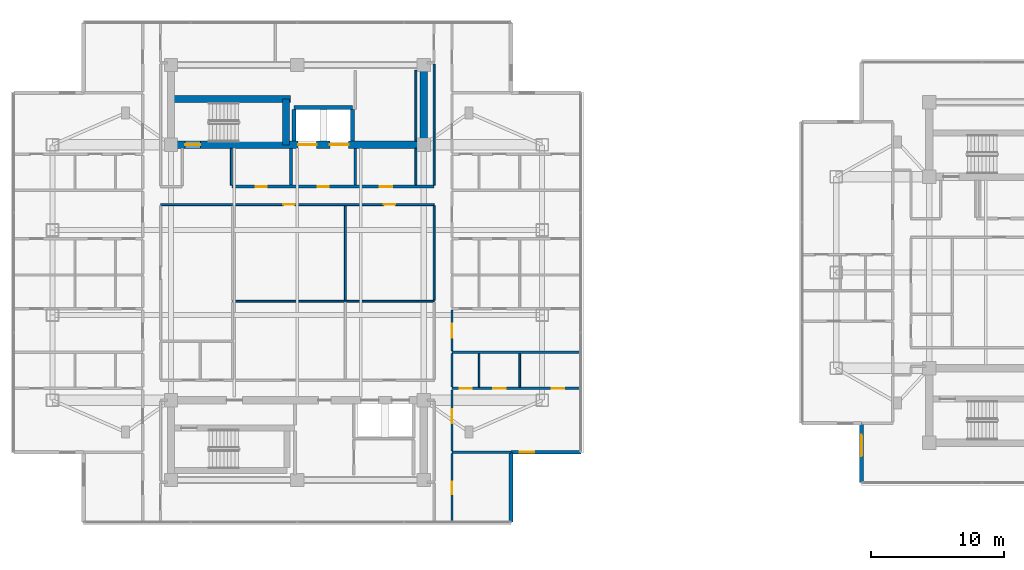
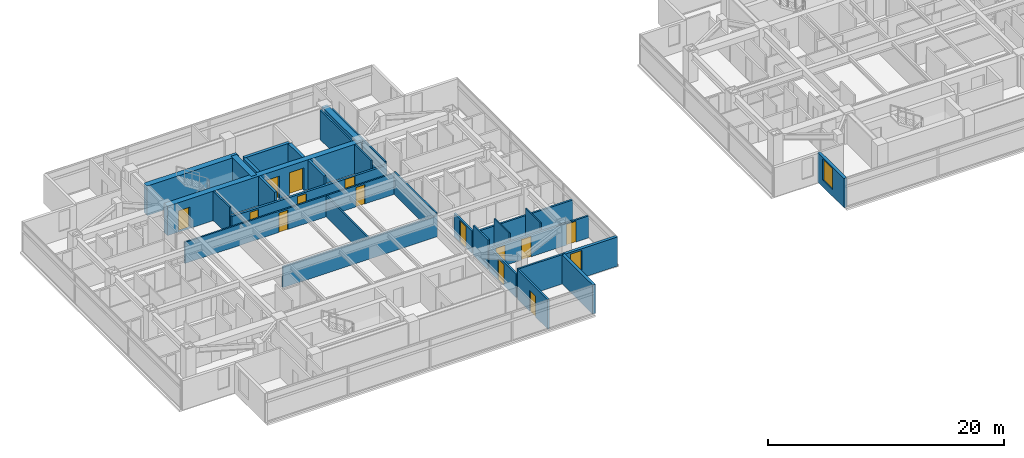
# One storey, part 14 of 25: 30 walls, 14 doors, 2 windows, 16 openings.
"""IFC4 building model written with IfcOpenShell, lengths in metres."""

from ifc_helpers import new_model, si_unit, direction, frame, frame_2d, origin, place, context, subcontext, project, spatial, rectangle, extrude, material, layer, layer_set, type_object, element, fill, save


model = new_model("IFC4")

# Units and contexts
model_context = context("Model", 3, precision=1e-05, world=origin(), true_north=direction((0.0, 1.0)))
body_context = subcontext(model_context, "Body", "Model", "MODEL_VIEW")
ifc_project = project(units=[si_unit("LENGTHUNIT", "METRE"), si_unit("AREAUNIT", "SQUARE_METRE"), si_unit("VOLUMEUNIT", "CUBIC_METRE"), si_unit("PLANEANGLEUNIT", "RADIAN"), si_unit("MASSUNIT", "GRAM", prefix="KILO")], contexts=[model_context])

# Site, building, storey
site_placement = place(None, origin())
site = spatial("IfcSite", under=ifc_project, at=site_placement, CompositionType="ELEMENT")
building_placement = place(site_placement, origin())
building = spatial("IfcBuilding", under=site, at=building_placement, Name="Mirazonda Arch Towers", CompositionType="ELEMENT")
storey_placement = place(building_placement, frame((0.0, 0.0, 173.89990234375)))
storey = spatial("IfcBuildingStorey", under=building, at=storey_placement, Name="L49", CompositionType="ELEMENT", Elevation=173.89990234375)

# Wall
ifc_material_1 = material(Name="Concrete C50/60", Category="concrete")
ifc_layer_1 = layer(ifc_material_1, 0.550048828125, Name="WALL-CORE-550")
ifc_layer_set_1 = layer_set([ifc_layer_1], Name="Concrete C50/60")
wall_type_1 = type_object("IfcWallType", Name="WALL-CORE-550", PredefinedType="SHEAR", material=ifc_layer_set_1)
wall_1_placement = place(storey_placement, frame((30.0, 37.60009765625, 0.0), z_axis=(0.0, 0.0, 1.0), x_axis=(0.0, 1.0, 0.0)))
element("IfcWall", 1, at=wall_1_placement, inside=storey, type_object=wall_type_1, Name="L49 T1N-E Core Shear Wall", PredefinedType="SHEAR", context=body_context, shape_type="SweptSolid", body=[
    extrude(rectangle(XDim=6.0, YDim=0.550048828125, at=frame_2d((3.0, 0.0))), origin(), (0.0, 0.0, 1.0), 3.050048828125),
])

# Wall, openings, doors
wall_2_placement = place(storey_placement, frame((11.0, 37.60009765625, 0.0), z_axis=(0.0, 0.0, 1.0), x_axis=(1.0, 0.0, 0.0)))
wall_2 = element("IfcWall", 2, at=wall_2_placement, inside=storey, type_object=wall_type_1, Name="L49 T1N-S Core Shear Wall", PredefinedType="SHEAR", context=body_context, shape_type="SweptSolid", body=[
    extrude(rectangle(XDim=19.0, YDim=0.550048828125, at=frame_2d((9.5, 0.0))), origin(), (0.0, 0.0, 1.0), 3.050048828125),
])
opening_1_placement = place(wall_2_placement, frame((1.06005859375, 0.0, 0.0)))
opening_1 = element("IfcOpeningElement", 3, at=opening_1_placement, cuts=wall_2, Name="Opening DR-135", PredefinedType="OPENING", context=body_context, shape_type="SweptSolid", body=[
    extrude(rectangle(XDim=1.14990234375, YDim=2.199951171875, at=frame_2d((0.574951171875, 1.10009765625))), frame((0.0, 0.284912109375, 0.0), z_axis=(0.0, -1.0, 0.0), x_axis=(1.0, 0.0, 0.0)), (0.0, 0.0, 1.0), 0.570068359375),
])
opening_2_placement = place(wall_2_placement, frame((9.550048828125, 0.0, 0.0)))
opening_2 = element("IfcOpeningElement", 4, at=opening_2_placement, cuts=wall_2, Name="Opening LD-112", PredefinedType="OPENING", context=body_context, shape_type="SweptSolid", body=[
    extrude(rectangle(XDim=1.39990234375, YDim=2.35009765625, at=frame_2d((0.699951171875, 1.175048828125))), frame((0.0, 0.284912109375, 0.0), z_axis=(0.0, -1.0, 0.0), x_axis=(1.0, 0.0, 0.0)), (0.0, 0.0, 1.0), 0.570068359375),
])
opening_3_placement = place(wall_2_placement, frame((11.949951171875, 0.0, 0.0)))
opening_3 = element("IfcOpeningElement", 5, at=opening_3_placement, cuts=wall_2, Name="Opening LD-112", PredefinedType="OPENING", context=body_context, shape_type="SweptSolid", body=[
    extrude(rectangle(XDim=1.39990234375, YDim=2.35009765625, at=frame_2d((0.699951171875, 1.175048828125))), frame((0.0, 0.284912109375, 0.0), z_axis=(0.0, -1.0, 0.0), x_axis=(1.0, 0.0, 0.0)), (0.0, 0.0, 1.0), 0.570068359375),
])
ifc_material_2 = material(Name="Architectural Brushed Steel S355", Category="steel")
door_type_1 = type_object("IfcDoorType", Name="DOOR-LIFT-FFL-1400", OperationType="NOTDEFINED", PredefinedType="DOOR", material=ifc_material_2)
door_1_placement = place(opening_2_placement, origin())
door_1 = element("IfcDoor", 6, at=door_1_placement, inside=storey, type_object=door_type_1, Name="L49 Lift Landing Sliding Door FFL-T1", OperationType="DOUBLE_DOOR_SLIDING", OverallHeight=2.35009765625, OverallWidth=1.39990234375, PredefinedType="DOOR", context=body_context, shape_type="SweptSolid", body=[
    extrude(rectangle(XDim=1.39990234375, YDim=2.35009765625, at=frame_2d((0.699951171875, 1.175048828125))), frame((0.0, 0.02490234375, 0.0), z_axis=(0.0, -1.0, 0.0), x_axis=(1.0, 0.0, 0.0)), (0.0, 0.0, 1.0), 0.050048828125),
])
fill(opening_2, door_1)
door_2_placement = place(opening_3_placement, origin())
door_2 = element("IfcDoor", 7, at=door_2_placement, inside=storey, type_object=door_type_1, Name="L49 Lift Landing Sliding Door SVL-T1", OperationType="DOUBLE_DOOR_SLIDING", OverallHeight=2.35009765625, OverallWidth=1.39990234375, PredefinedType="DOOR", context=body_context, shape_type="SweptSolid", body=[
    extrude(rectangle(XDim=1.39990234375, YDim=2.35009765625, at=frame_2d((0.699951171875, 1.175048828125))), frame((0.0, 0.02490234375, 0.0), z_axis=(0.0, -1.0, 0.0), x_axis=(1.0, 0.0, 0.0)), (0.0, 0.0, 1.0), 0.050048828125),
])
fill(opening_3, door_2)
door_type_2 = type_object("IfcDoorType", Name="DOOR-STAIR-FD90-1150", OperationType="NOTDEFINED", PredefinedType="DOOR", material=ifc_material_2)
door_3_placement = place(opening_1_placement, origin())
door_3 = element("IfcDoor", 8, at=door_3_placement, inside=storey, type_object=door_type_2, Name="L49 Protected Exit Stair North Door", OperationType="SINGLE_SWING_RIGHT", OverallHeight=2.199951171875, OverallWidth=1.14990234375, PredefinedType="DOOR", context=body_context, shape_type="SweptSolid", body=[
    extrude(rectangle(XDim=1.14990234375, YDim=2.199951171875, at=frame_2d((0.574951171875, 1.10009765625))), frame((0.0, 0.02490234375, 0.0), z_axis=(0.0, -1.0, 0.0), x_axis=(1.0, 0.0, 0.0)), (0.0, 0.0, 1.0), 0.050048828125),
])
fill(opening_1, door_3)

# Walls
wall_3_placement = place(storey_placement, frame((11.0, 41.04296875, 0.0), z_axis=(0.0, 0.0, 1.0), x_axis=(1.0, 0.0, 0.0)))
element("IfcWall", 9, at=wall_3_placement, inside=storey, type_object=wall_type_1, Name="L49 T1N-STN Core Shear Wall", PredefinedType="SHEAR", context=body_context, shape_type="SweptSolid", body=[
    extrude(rectangle(XDim=9.0, YDim=0.550048828125, at=frame_2d((4.5, 0.0))), origin(), (0.0, 0.0, 1.0), 3.050048828125),
])
wall_4_placement = place(storey_placement, frame((19.64990234375, 37.60009765625, 0.0), z_axis=(0.0, 0.0, 1.0), x_axis=(0.0, 1.0, 0.0)))
element("IfcWall", 10, at=wall_4_placement, inside=storey, type_object=wall_type_1, Name="L49 T1N-STE Core Shear Wall", PredefinedType="SHEAR", context=body_context, shape_type="SweptSolid", body=[
    extrude(rectangle(XDim=3.44287109375, YDim=0.550048828125, at=frame_2d((1.721435546875, 0.0))), origin(), (0.0, 0.0, 1.0), 3.050048828125),
])

# Wall, opening, window
ifc_material_3 = material(Name="Precast Concrete C40/50", Category="concrete")
ifc_layer_2 = layer(ifc_material_3, 0.280029296875, Name="WALL-EXT-WALL-280")
ifc_layer_set_2 = layer_set([ifc_layer_2], Name="Precast Concrete C40/50")
wall_type_2 = type_object("IfcWallType", Name="WALL-EXT-WALL-280", PredefinedType="SOLIDWALL", material=ifc_layer_set_2)
wall_5_placement = place(storey_placement, frame((36.56494140625, 14.487060546875, 0.0), z_axis=(0.0, 0.0, 1.0), x_axis=(1.0, 0.0, 0.0)))
wall_5 = element("IfcWall", 11, at=wall_5_placement, inside=storey, type_object=wall_type_2, Name="L49 T1 Corner Notch Return Wall WL-L49-T1-CSE1", PredefinedType="SOLIDWALL", context=body_context, shape_type="SweptSolid", body=[
    extrude(rectangle(XDim=5.2451171875, YDim=0.280029296875, at=frame_2d((2.62255859375, 0.0))), origin(), (0.0, 0.0, 1.0), 3.030029296875),
])
opening_4_placement = place(wall_5_placement, frame((0.64990234375, 0.0, 0.85009765625)))
opening_4 = element("IfcOpeningElement", 12, at=opening_4_placement, cuts=wall_5, Name="Opening WN-108", PredefinedType="OPENING", context=body_context, shape_type="SweptSolid", body=[
    extrude(rectangle(XDim=1.10009765625, YDim=2.0, at=frame_2d((0.550048828125, 1.0))), frame((0.0, 0.14990234375, 0.0), z_axis=(0.0, -1.0, 0.0), x_axis=(1.0, 0.0, 0.0)), (0.0, 0.0, 1.0), 0.300048828125),
])
ifc_material_4 = material(Name="Insulated Low-E Solar Glass", Category="glass")
window_type_1 = type_object("IfcWindowType", Name="WIN-NOTCH-1100x2000", PartitioningType="SINGLE_PANEL", PredefinedType="WINDOW", material=ifc_material_4)
window_1_placement = place(opening_4_placement, origin())
window_1 = element("IfcWindow", 13, at=window_1_placement, inside=storey, type_object=window_type_1, Name="L49 Punched Facade Window WN-L49-T1-CSE1", OverallHeight=2.0, OverallWidth=1.10009765625, PartitioningType="SINGLE_PANEL", PredefinedType="WINDOW", context=body_context, shape_type="SweptSolid", body=[
    extrude(rectangle(XDim=1.10009765625, YDim=2.0, at=frame_2d((0.550048828125, 1.0))), frame((0.0, 0.030029296875, 0.0), z_axis=(0.0, -1.0, 0.0), x_axis=(1.0, 0.0, 0.0)), (0.0, 0.0, 1.0), 0.06005859375),
])
fill(opening_4, window_1)

# Wall
wall_6_placement = place(storey_placement, frame((36.56494140625, 9.241943359375, 0.0), z_axis=(0.0, 0.0, 1.0), x_axis=(0.0, 1.0, 0.0)))
element("IfcWall", 14, at=wall_6_placement, inside=storey, type_object=wall_type_2, Name="L49 T1 Corner Notch Return Wall WL-L49-T1-CSE2", PredefinedType="SOLIDWALL", context=body_context, shape_type="SweptSolid", body=[
    extrude(rectangle(XDim=5.2451171875, YDim=0.280029296875, at=frame_2d((2.62255859375, 0.0))), origin(), (0.0, 0.0, 1.0), 3.030029296875),
])

# Wall, opening, window
wall_7_placement = place(storey_placement, frame((62.90478515625, 16.673828125, 0.0), z_axis=(0.0, 0.0, 1.0), x_axis=(0.0, -1.0, 0.0)))
wall_7 = element("IfcWall", 15, at=wall_7_placement, inside=storey, type_object=wall_type_2, Name="L49 T2 Notched SW Corner Wall WL-L49-T2-CSW", PredefinedType="SOLIDWALL", context=body_context, shape_type="SweptSolid", body=[
    extrude(rectangle(XDim=4.465087890625, YDim=0.280029296875, at=frame_2d((2.232421875, 0.0))), origin(), (0.0, 0.0, 1.0), 3.030029296875),
])
opening_5_placement = place(wall_7_placement, frame((0.85009765625, 0.0, 0.679931640625)))
opening_5 = element("IfcOpeningElement", 16, at=opening_5_placement, cuts=wall_7, Name="Opening WN-115", PredefinedType="OPENING", context=body_context, shape_type="SweptSolid", body=[
    extrude(rectangle(XDim=1.64990234375, YDim=2.199951171875, at=frame_2d((0.824951171875, 1.10009765625))), frame((0.0, 0.14990234375, 0.0), z_axis=(0.0, -1.0, 0.0), x_axis=(1.0, 0.0, 0.0)), (0.0, 0.0, 1.0), 0.300048828125),
])
window_type_2 = type_object("IfcWindowType", Name="WIN-RES-1650x2200", PartitioningType="SINGLE_PANEL", PredefinedType="WINDOW", material=ifc_material_4)
window_2_placement = place(opening_5_placement, origin())
window_2 = element("IfcWindow", 17, at=window_2_placement, inside=storey, type_object=window_type_2, Name="L49 Punched Facade Window WN-L49-T2-CSW", OverallHeight=2.199951171875, OverallWidth=1.64990234375, PartitioningType="SINGLE_PANEL", PredefinedType="WINDOW", context=body_context, shape_type="SweptSolid", body=[
    extrude(rectangle(XDim=1.64990234375, YDim=2.199951171875, at=frame_2d((0.824951171875, 1.10009765625))), frame((0.0, 0.030029296875, 0.0), z_axis=(0.0, -1.0, 0.0), x_axis=(1.0, 0.0, 0.0)), (0.0, 0.0, 1.0), 0.06005859375),
])
fill(opening_5, window_2)

# Wall, openings, doors
ifc_material_5 = material(Name="Concrete C40/50", Category="concrete")
ifc_layer_3 = layer(ifc_material_5, 0.219970703125, Name="WALL-FFL-220")
ifc_layer_set_3 = layer_set([ifc_layer_3], Name="Concrete C40/50")
wall_type_3 = type_object("IfcWallType", Name="WALL-FFL-220", PredefinedType="SOLIDWALL", material=ifc_layer_set_3)
wall_8_placement = place(storey_placement, frame((15.590087890625, 34.449951171875, 0.0), z_axis=(0.0, 0.0, 1.0), x_axis=(1.0, 0.0, 0.0)))
wall_8 = element("IfcWall", 18, at=wall_8_placement, inside=storey, type_object=wall_type_3, Name="L49 Interior Partition 050", PredefinedType="SOLIDWALL", context=body_context, shape_type="SweptSolid", body=[
    extrude(rectangle(XDim=15.18994140625, YDim=0.219970703125, at=frame_2d((7.594970703125, 0.0))), origin(), (0.0, 0.0, 1.0), 2.18603515625),
])
opening_6_placement = place(wall_8_placement, frame((6.43505859375, 0.0, 0.0)))
opening_6 = element("IfcOpeningElement", 19, at=opening_6_placement, cuts=wall_8, Name="Opening DR-128", PredefinedType="OPENING", context=body_context, shape_type="SweptSolid", body=[
    extrude(rectangle(XDim=0.85009765625, YDim=2.010009765625, at=frame_2d((0.425048828125, 1.0048828125))), frame((0.0, 0.119873046875, 0.0), z_axis=(0.0, -1.0, 0.0), x_axis=(1.0, 0.0, 0.0)), (0.0, 0.0, 1.0), 0.239990234375),
])
opening_7_placement = place(wall_8_placement, frame((11.0849609375, 0.0, 0.0)))
opening_7 = element("IfcOpeningElement", 20, at=opening_7_placement, cuts=wall_8, Name="Opening DR-104", PredefinedType="OPENING", context=body_context, shape_type="SweptSolid", body=[
    extrude(rectangle(XDim=0.949951171875, YDim=2.14990234375, at=frame_2d((0.47509765625, 1.074951171875))), frame((0.0, 0.119873046875, 0.0), z_axis=(0.0, -1.0, 0.0), x_axis=(1.0, 0.0, 0.0)), (0.0, 0.0, 1.0), 0.239990234375),
])
opening_8_placement = place(wall_8_placement, frame((1.77490234375, 0.0, 0.0)))
opening_8 = element("IfcOpeningElement", 21, at=opening_8_placement, cuts=wall_8, Name="Opening DR-128", PredefinedType="OPENING", context=body_context, shape_type="SweptSolid", body=[
    extrude(rectangle(XDim=0.85009765625, YDim=2.010009765625, at=frame_2d((0.425048828125, 1.0048828125))), frame((0.0, 0.119873046875, 0.0), z_axis=(0.0, -1.0, 0.0), x_axis=(1.0, 0.0, 0.0)), (0.0, 0.0, 1.0), 0.239990234375),
])
door_type_3 = type_object("IfcDoorType", Name="DOOR-RISER-FD60-850", OperationType="NOTDEFINED", PredefinedType="DOOR", material=ifc_material_2)
door_4_placement = place(opening_6_placement, origin())
door_4 = element("IfcDoor", 22, at=door_4_placement, inside=storey, type_object=door_type_3, Name="L49 Firefighting Lift Lobby Door", OperationType="SINGLE_SWING_LEFT", OverallHeight=2.010009765625, OverallWidth=0.85009765625, PredefinedType="DOOR", context=body_context, shape_type="SweptSolid", body=[
    extrude(rectangle(XDim=0.85009765625, YDim=2.010009765625, at=frame_2d((0.425048828125, 1.0048828125))), frame((0.0, 0.02490234375, 0.0), z_axis=(0.0, -1.0, 0.0), x_axis=(1.0, 0.0, 0.0)), (0.0, 0.0, 1.0), 0.050048828125),
])
fill(opening_6, door_4)
door_5_placement = place(opening_8_placement, origin())
door_5 = element("IfcDoor", 23, at=door_5_placement, inside=storey, type_object=door_type_3, Name="L49 Housekeeping Linen Room Door", OperationType="SINGLE_SWING_LEFT", OverallHeight=2.010009765625, OverallWidth=0.85009765625, PredefinedType="DOOR", context=body_context, shape_type="SweptSolid", body=[
    extrude(rectangle(XDim=0.85009765625, YDim=2.010009765625, at=frame_2d((0.425048828125, 1.0048828125))), frame((0.0, 0.02490234375, 0.0), z_axis=(0.0, -1.0, 0.0), x_axis=(1.0, 0.0, 0.0)), (0.0, 0.0, 1.0), 0.050048828125),
])
fill(opening_8, door_5)
door_type_4 = type_object("IfcDoorType", Name="DOOR-ROOM-950", OperationType="NOTDEFINED", PredefinedType="DOOR", material=ifc_material_2)
door_6_placement = place(opening_7_placement, origin())
door_6 = element("IfcDoor", 24, at=door_6_placement, inside=storey, type_object=door_type_4, Name="L49 Residents Private Art Gallery Door", OperationType="SINGLE_SWING_RIGHT", OverallHeight=2.14990234375, OverallWidth=0.949951171875, PredefinedType="DOOR", context=body_context, shape_type="SweptSolid", body=[
    extrude(rectangle(XDim=0.949951171875, YDim=2.14990234375, at=frame_2d((0.47509765625, 1.074951171875))), frame((0.0, 0.02490234375, 0.0), z_axis=(0.0, -1.0, 0.0), x_axis=(1.0, 0.0, 0.0)), (0.0, 0.0, 1.0), 0.050048828125),
])
fill(opening_7, door_6)

# Walls
for number, where, z_axis, x_axis, name in (
    (25, (20.02490234375, 34.570068359375, 0.0), (0.0, 0.0, 1.0), (0.0, 1.0, 0.0), "L49 Interior Partition 096"),
    (26, (24.85009765625, 34.570068359375, 0.0), (0.0, 0.0, 1.0), (0.0, 1.0, 0.0), "L49 Interior Partition 105"),
):
    element("IfcWall", number, at=place(storey_placement, frame(where, z_axis=z_axis, x_axis=x_axis)), inside=storey, type_object=wall_type_3, Name=name, PredefinedType="SOLIDWALL", context=body_context, shape_type="SweptSolid", body=[
        extrude(rectangle(XDim=2.760009765625, YDim=0.219970703125, at=frame_2d((1.3798828125, 0.0))), origin(), (0.0, 0.0, 1.0), 3.050048828125),
    ])
ifc_material_6 = material(Name="Fire-Rated Gypsum Stud Partition")
ifc_layer_4 = layer(ifc_material_6, 0.14990234375, Name="WALL-PART-CORR-150")
ifc_layer_set_4 = layer_set([ifc_layer_4], Name="Fire-Rated Gypsum Stud Partition")
wall_type_4 = type_object("IfcWallType", Name="WALL-PART-CORR-150", PredefinedType="PARTITIONING", material=ifc_layer_set_4)
wall_9_placement = place(storey_placement, frame((15.639892578125, 25.840087890625, 0.0), z_axis=(0.0, 0.0, 1.0), x_axis=(1.0, 0.0, 0.0)))
element("IfcWall", 27, at=wall_9_placement, inside=storey, type_object=wall_type_4, Name="L49 Interior Partition 032", PredefinedType="PARTITIONING", context=body_context, shape_type="SweptSolid", body=[
    extrude(rectangle(XDim=15.14013671875, YDim=0.14990234375, at=frame_2d((7.570068359375, 0.0))), origin(), (0.0, 0.0, 1.0), 2.18603515625),
])

# Wall, openings, doors
wall_10_placement = place(storey_placement, frame((10.219970703125, 33.10009765625, 0.0), z_axis=(0.0, 0.0, 1.0), x_axis=(1.0, 0.0, 0.0)))
wall_10 = element("IfcWall", 28, at=wall_10_placement, inside=storey, type_object=wall_type_4, Name="L49 Interior Partition 046", PredefinedType="PARTITIONING", context=body_context, shape_type="SweptSolid", body=[
    extrude(rectangle(XDim=20.56005859375, YDim=0.14990234375, at=frame_2d((10.280029296875, 0.0))), origin(), (0.0, 0.0, 1.0), 2.18603515625),
])
opening_9_placement = place(wall_10_placement, frame((9.23388671875, 0.0, 0.0)))
opening_9 = element("IfcOpeningElement", 29, at=opening_9_placement, cuts=wall_10, Name="Opening DR-128", PredefinedType="OPENING", context=body_context, shape_type="SweptSolid", body=[
    extrude(rectangle(XDim=0.85009765625, YDim=2.010009765625, at=frame_2d((0.425048828125, 1.0048828125))), frame((0.0, 0.0849609375, 0.0), z_axis=(0.0, -1.0, 0.0), x_axis=(1.0, 0.0, 0.0)), (0.0, 0.0, 1.0), 0.169921875),
])
opening_10_placement = place(wall_10_placement, frame((16.783935546875, 0.0, 0.0)))
opening_10 = element("IfcOpeningElement", 30, at=opening_10_placement, cuts=wall_10, Name="Opening DR-128", PredefinedType="OPENING", context=body_context, shape_type="SweptSolid", body=[
    extrude(rectangle(XDim=0.85009765625, YDim=2.010009765625, at=frame_2d((0.425048828125, 1.0048828125))), frame((0.0, 0.0849609375, 0.0), z_axis=(0.0, -1.0, 0.0), x_axis=(1.0, 0.0, 0.0)), (0.0, 0.0, 1.0), 0.169921875),
])
door_7_placement = place(opening_9_placement, origin())
door_7 = element("IfcDoor", 31, at=door_7_placement, inside=storey, type_object=door_type_3, Name="L49 Private Dining Room Door", OperationType="SINGLE_SWING_LEFT", OverallHeight=2.010009765625, OverallWidth=0.85009765625, PredefinedType="DOOR", context=body_context, shape_type="SweptSolid", body=[
    extrude(rectangle(XDim=0.85009765625, YDim=2.010009765625, at=frame_2d((0.425048828125, 1.0048828125))), frame((0.0, 0.02490234375, 0.0), z_axis=(0.0, -1.0, 0.0), x_axis=(1.0, 0.0, 0.0)), (0.0, 0.0, 1.0), 0.050048828125),
])
fill(opening_9, door_7)
door_8_placement = place(opening_10_placement, origin())
door_8 = element("IfcDoor", 32, at=door_8_placement, inside=storey, type_object=door_type_3, Name="L49 Collectors Gallery Study Door", OperationType="SINGLE_SWING_RIGHT", OverallHeight=2.010009765625, OverallWidth=0.85009765625, PredefinedType="DOOR", context=body_context, shape_type="SweptSolid", body=[
    extrude(rectangle(XDim=0.85009765625, YDim=2.010009765625, at=frame_2d((0.425048828125, 1.0048828125))), frame((0.0, 0.02490234375, 0.0), z_axis=(0.0, -1.0, 0.0), x_axis=(1.0, 0.0, 0.0)), (0.0, 0.0, 1.0), 0.050048828125),
])
fill(opening_10, door_8)

# Walls
wall_11_placement = place(storey_placement, frame((15.550048828125, 34.570068359375, 0.0), z_axis=(0.0, 0.0, 1.0), x_axis=(0.0, 1.0, 0.0)))
element("IfcWall", 33, at=wall_11_placement, inside=storey, type_object=wall_type_4, Name="L49 Interior Partition 093", PredefinedType="PARTITIONING", context=body_context, shape_type="SweptSolid", body=[
    extrude(rectangle(XDim=2.760009765625, YDim=0.14990234375, at=frame_2d((1.3798828125, 0.0))), origin(), (0.0, 0.0, 1.0), 3.050048828125),
])
wall_12_placement = place(storey_placement, frame((24.117919921875, 25.925048828125, 0.0), z_axis=(0.0, 0.0, 1.0), x_axis=(0.0, 1.0, 0.0)))
element("IfcWall", 34, at=wall_12_placement, inside=storey, type_object=wall_type_4, Name="L49 Interior Partition 101", PredefinedType="PARTITIONING", context=body_context, shape_type="SweptSolid", body=[
    extrude(rectangle(XDim=7.08984375, YDim=0.14990234375, at=frame_2d((3.544921875, 0.0))), origin(), (0.0, 0.0, 1.0), 2.18603515625),
])
wall_13_placement = place(storey_placement, frame((29.39990234375, 34.570068359375, 0.0), z_axis=(0.0, 0.0, 1.0), x_axis=(0.0, 1.0, 0.0)))
element("IfcWall", 35, at=wall_13_placement, inside=storey, type_object=wall_type_4, Name="L49 Interior Partition 109", PredefinedType="PARTITIONING", context=body_context, shape_type="SweptSolid", body=[
    extrude(rectangle(XDim=2.760009765625, YDim=0.14990234375, at=frame_2d((1.3798828125, 0.0))), origin(), (0.0, 0.0, 1.0), 3.050048828125),
])
wall_14_placement = place(storey_placement, frame((29.39990234375, 37.8701171875, 0.0), z_axis=(0.0, 0.0, 1.0), x_axis=(0.0, 1.0, 0.0)))
element("IfcWall", 36, at=wall_14_placement, inside=storey, type_object=wall_type_4, Name="L49 Interior Partition 110", PredefinedType="PARTITIONING", context=body_context, shape_type="SweptSolid", body=[
    extrude(rectangle(XDim=5.329833984375, YDim=0.14990234375, at=frame_2d((2.6650390625, 0.0))), origin(), (0.0, 0.0, 1.0), 3.050048828125),
])
wall_15_placement = place(storey_placement, frame((30.780029296875, 25.925048828125, 0.0), z_axis=(0.0, 0.0, 1.0), x_axis=(0.0, 1.0, 0.0)))
element("IfcWall", 37, at=wall_15_placement, inside=storey, type_object=wall_type_4, Name="L49 Interior Partition 114", PredefinedType="PARTITIONING", context=body_context, shape_type="SweptSolid", body=[
    extrude(rectangle(XDim=7.08984375, YDim=0.14990234375, at=frame_2d((3.544921875, 0.0))), origin(), (0.0, 0.0, 1.0), 2.34619140625),
])
wall_16_placement = place(storey_placement, frame((30.780029296875, 34.570068359375, 0.0), z_axis=(0.0, 0.0, 1.0), x_axis=(0.0, 1.0, 0.0)))
element("IfcWall", 38, at=wall_16_placement, inside=storey, type_object=wall_type_4, Name="L49 Interior Partition 115", PredefinedType="PARTITIONING", context=body_context, shape_type="SweptSolid", body=[
    extrude(rectangle(XDim=9.094970703125, YDim=0.14990234375, at=frame_2d((4.54736328125, 0.0))), origin(), (0.0, 0.0, 1.0), 2.442138671875),
])
ifc_material_7 = material(Name="Fire-Rated Gypsum Twin-Stud Assembly")
ifc_layer_5 = layer(ifc_material_7, 0.179931640625, Name="WALL-PART-DEMISE-180")
ifc_layer_set_5 = layer_set([ifc_layer_5], Name="Fire-Rated Gypsum Twin-Stud Assembly")
wall_type_5 = type_object("IfcWallType", Name="WALL-PART-DEMISE-180", PredefinedType="PARTITIONING", material=ifc_layer_set_5)
wall_17_placement = place(storey_placement, frame((32.1201171875, 14.487060546875, 0.0), z_axis=(0.0, 0.0, 1.0), x_axis=(1.0, 0.0, 0.0)))
element("IfcWall", 39, at=wall_17_placement, inside=storey, type_object=wall_type_5, Name="L49 Interior Partition 005", PredefinedType="PARTITIONING", context=body_context, shape_type="SweptSolid", body=[
    extrude(rectangle(XDim=4.4248046875, YDim=0.179931640625, at=frame_2d((2.21240234375, 0.0))), origin(), (0.0, 0.0, 1.0), 3.050048828125),
])

# Wall, openings, doors
wall_18_placement = place(storey_placement, frame((32.1201171875, 19.2880859375, 0.0), z_axis=(0.0, 0.0, 1.0), x_axis=(1.0, 0.0, 0.0)))
wall_18 = element("IfcWall", 40, at=wall_18_placement, inside=storey, type_object=wall_type_5, Name="L49 Interior Partition 015", PredefinedType="PARTITIONING", context=body_context, shape_type="SweptSolid", body=[
    extrude(rectangle(XDim=9.68994140625, YDim=0.179931640625, at=frame_2d((4.844970703125, 0.0))), origin(), (0.0, 0.0, 1.0), 2.26904296875),
])
opening_11_placement = place(wall_18_placement, frame((7.5, 0.0, 0.0)))
opening_11 = element("IfcOpeningElement", 41, at=opening_11_placement, cuts=wall_18, Name="Opening DR-104", PredefinedType="OPENING", context=body_context, shape_type="SweptSolid", body=[
    extrude(rectangle(XDim=0.949951171875, YDim=2.14990234375, at=frame_2d((0.47509765625, 1.074951171875))), frame((0.0, 0.099853515625, 0.0), z_axis=(0.0, -1.0, 0.0), x_axis=(1.0, 0.0, 0.0)), (0.0, 0.0, 1.0), 0.199951171875),
])
opening_12_placement = place(wall_18_placement, frame((3.094970703125, 0.0, 0.0)))
opening_12 = element("IfcOpeningElement", 42, at=opening_12_placement, cuts=wall_18, Name="Opening DR-104", PredefinedType="OPENING", context=body_context, shape_type="SweptSolid", body=[
    extrude(rectangle(XDim=0.949951171875, YDim=2.14990234375, at=frame_2d((0.47509765625, 1.074951171875))), frame((0.0, 0.099853515625, 0.0), z_axis=(0.0, -1.0, 0.0), x_axis=(1.0, 0.0, 0.0)), (0.0, 0.0, 1.0), 0.199951171875),
])
opening_13_placement = place(wall_18_placement, frame((0.590087890625, 0.0, 0.0)))
opening_13 = element("IfcOpeningElement", 43, at=opening_13_placement, cuts=wall_18, Name="Opening DR-120", PredefinedType="OPENING", context=body_context, shape_type="SweptSolid", body=[
    extrude(rectangle(XDim=0.89990234375, YDim=2.10009765625, at=frame_2d((0.449951171875, 1.050048828125))), frame((0.0, 0.099853515625, 0.0), z_axis=(0.0, -1.0, 0.0), x_axis=(1.0, 0.0, 0.0)), (0.0, 0.0, 1.0), 0.199951171875),
])
door_9_placement = place(opening_11_placement, origin())
door_9 = element("IfcDoor", 44, at=door_9_placement, inside=storey, type_object=door_type_4, Name="L49 Residence 1 Principal Bedroom Door", OperationType="SINGLE_SWING_RIGHT", OverallHeight=2.14990234375, OverallWidth=0.949951171875, PredefinedType="DOOR", context=body_context, shape_type="SweptSolid", body=[
    extrude(rectangle(XDim=0.949951171875, YDim=2.14990234375, at=frame_2d((0.47509765625, 1.074951171875))), frame((0.0, 0.02490234375, 0.0), z_axis=(0.0, -1.0, 0.0), x_axis=(1.0, 0.0, 0.0)), (0.0, 0.0, 1.0), 0.050048828125),
])
fill(opening_11, door_9)
door_10_placement = place(opening_12_placement, origin())
door_10 = element("IfcDoor", 45, at=door_10_placement, inside=storey, type_object=door_type_4, Name="L49 Residence 1 Fitted Kitchen Door", OperationType="SINGLE_SWING_LEFT", OverallHeight=2.14990234375, OverallWidth=0.949951171875, PredefinedType="DOOR", context=body_context, shape_type="SweptSolid", body=[
    extrude(rectangle(XDim=0.949951171875, YDim=2.14990234375, at=frame_2d((0.47509765625, 1.074951171875))), frame((0.0, 0.02490234375, 0.0), z_axis=(0.0, -1.0, 0.0), x_axis=(1.0, 0.0, 0.0)), (0.0, 0.0, 1.0), 0.050048828125),
])
fill(opening_12, door_10)
door_type_5 = type_object("IfcDoorType", Name="DOOR-WC-900", OperationType="NOTDEFINED", PredefinedType="DOOR", material=ifc_material_2)
door_11_placement = place(opening_13_placement, origin())
door_11 = element("IfcDoor", 46, at=door_11_placement, inside=storey, type_object=door_type_5, Name="L49 Residence 1 Bathroom Door", OperationType="SINGLE_SWING_RIGHT", OverallHeight=2.10009765625, OverallWidth=0.89990234375, PredefinedType="DOOR", context=body_context, shape_type="SweptSolid", body=[
    extrude(rectangle(XDim=0.89990234375, YDim=2.10009765625, at=frame_2d((0.449951171875, 1.050048828125))), frame((0.0, 0.02490234375, 0.0), z_axis=(0.0, -1.0, 0.0), x_axis=(1.0, 0.0, 0.0)), (0.0, 0.0, 1.0), 0.050048828125),
])
fill(opening_13, door_11)

# Wall
wall_19_placement = place(storey_placement, frame((32.1201171875, 22.008056640625, 0.0), z_axis=(0.0, 0.0, 1.0), x_axis=(1.0, 0.0, 0.0)))
element("IfcWall", 47, at=wall_19_placement, inside=storey, type_object=wall_type_5, Name="L49 Interior Partition 022", PredefinedType="PARTITIONING", context=body_context, shape_type="SweptSolid", body=[
    extrude(rectangle(XDim=9.68994140625, YDim=0.179931640625, at=frame_2d((4.844970703125, 0.0))), origin(), (0.0, 0.0, 1.0), 2.26904296875),
])

# Wall, opening, door
wall_20_placement = place(storey_placement, frame((32.1201171875, 9.241943359375, 0.0), z_axis=(0.0, 0.0, 1.0), x_axis=(0.0, 1.0, 0.0)))
wall_20 = element("IfcWall", 48, at=wall_20_placement, inside=storey, type_object=wall_type_5, Name="L49 Interior Partition 117", PredefinedType="PARTITIONING", context=body_context, shape_type="SweptSolid", body=[
    extrude(rectangle(XDim=5.14501953125, YDim=0.179931640625, at=frame_2d((2.572509765625, 0.0))), origin(), (0.0, 0.0, 1.0), 3.050048828125),
])
opening_14_placement = place(wall_20_placement, frame((2.097412109375, 0.0, 0.0)))
opening_14 = element("IfcOpeningElement", 49, at=opening_14_placement, cuts=wall_20, Name="Opening DR-104", PredefinedType="OPENING", context=body_context, shape_type="SweptSolid", body=[
    extrude(rectangle(XDim=0.949951171875, YDim=2.14990234375, at=frame_2d((0.47509765625, 1.074951171875))), frame((0.0, 0.099853515625, 0.0), z_axis=(0.0, -1.0, 0.0), x_axis=(1.0, 0.0, 0.0)), (0.0, 0.0, 1.0), 0.199951171875),
])
door_12_placement = place(opening_14_placement, origin())
door_12 = element("IfcDoor", 50, at=door_12_placement, inside=storey, type_object=door_type_4, Name="L49 South Panoramic Study Alcove East Door", OperationType="SINGLE_SWING_LEFT", OverallHeight=2.14990234375, OverallWidth=0.949951171875, PredefinedType="DOOR", context=body_context, shape_type="SweptSolid", body=[
    extrude(rectangle(XDim=0.949951171875, YDim=2.14990234375, at=frame_2d((0.47509765625, 1.074951171875))), frame((0.0, 0.02490234375, 0.0), z_axis=(0.0, -1.0, 0.0), x_axis=(1.0, 0.0, 0.0)), (0.0, 0.0, 1.0), 0.050048828125),
])
fill(opening_14, door_12)

wall_21_placement = place(storey_placement, frame((32.1201171875, 14.5869140625, 0.0), z_axis=(0.0, 0.0, 1.0), x_axis=(0.0, 1.0, 0.0)))
wall_21 = element("IfcWall", 51, at=wall_21_placement, inside=storey, type_object=wall_type_5, Name="L49 Interior Partition 118", PredefinedType="PARTITIONING", context=body_context, shape_type="SweptSolid", body=[
    extrude(rectangle(XDim=4.60107421875, YDim=0.179931640625, at=frame_2d((2.300537109375, 0.0))), origin(), (0.0, 0.0, 1.0), 2.442138671875),
])
opening_15_placement = place(wall_21_placement, frame((2.075439453125, 0.0, 0.0)))
opening_15 = element("IfcOpeningElement", 52, at=opening_15_placement, cuts=wall_21, Name="Opening DR-121", PredefinedType="OPENING", context=body_context, shape_type="SweptSolid", body=[
    extrude(rectangle(XDim=1.050048828125, YDim=2.199951171875, at=frame_2d((0.52490234375, 1.10009765625))), frame((0.0, 0.099853515625, 0.0), z_axis=(0.0, -1.0, 0.0), x_axis=(1.0, 0.0, 0.0)), (0.0, 0.0, 1.0), 0.199951171875),
])
door_type_6 = type_object("IfcDoorType", Name="DOOR-SUITE-FD60-1050", OperationType="NOTDEFINED", PredefinedType="DOOR", material=ifc_material_2)
door_13_placement = place(opening_15_placement, origin())
door_13 = element("IfcDoor", 53, at=door_13_placement, inside=storey, type_object=door_type_6, Name="L49 Residence 1 Living & Dining Salon Door", OperationType="SINGLE_SWING_LEFT", OverallHeight=2.199951171875, OverallWidth=1.050048828125, PredefinedType="DOOR", context=body_context, shape_type="SweptSolid", body=[
    extrude(rectangle(XDim=1.050048828125, YDim=2.199951171875, at=frame_2d((0.52490234375, 1.10009765625))), frame((0.0, 0.02490234375, 0.0), z_axis=(0.0, -1.0, 0.0), x_axis=(1.0, 0.0, 0.0)), (0.0, 0.0, 1.0), 0.050048828125),
])
fill(opening_15, door_13)

# Wall
wall_22_placement = place(storey_placement, frame((32.1201171875, 19.387939453125, 0.0), z_axis=(0.0, 0.0, 1.0), x_axis=(0.0, 1.0, 0.0)))
element("IfcWall", 54, at=wall_22_placement, inside=storey, type_object=wall_type_5, Name="L49 Interior Partition 119", PredefinedType="PARTITIONING", context=body_context, shape_type="SweptSolid", body=[
    extrude(rectangle(XDim=2.52001953125, YDim=0.179931640625, at=frame_2d((1.260009765625, 0.0))), origin(), (0.0, 0.0, 1.0), 3.050048828125),
])

# Wall, opening, door
wall_23_placement = place(storey_placement, frame((32.1201171875, 22.10791015625, 0.0), z_axis=(0.0, 0.0, 1.0), x_axis=(0.0, 1.0, 0.0)))
wall_23 = element("IfcWall", 55, at=wall_23_placement, inside=storey, type_object=wall_type_5, Name="L49 Interior Partition 120", PredefinedType="PARTITIONING", context=body_context, shape_type="SweptSolid", body=[
    extrude(rectangle(XDim=3.065185546875, YDim=0.179931640625, at=frame_2d((1.53271484375, 0.0))), origin(), (0.0, 0.0, 1.0), 2.34619140625),
])
opening_16_placement = place(wall_23_placement, frame((1.007568359375, 0.0, 0.0)))
opening_16 = element("IfcOpeningElement", 56, at=opening_16_placement, cuts=wall_23, Name="Opening DR-121", PredefinedType="OPENING", context=body_context, shape_type="SweptSolid", body=[
    extrude(rectangle(XDim=1.050048828125, YDim=2.199951171875, at=frame_2d((0.52490234375, 1.10009765625))), frame((0.0, 0.099853515625, 0.0), z_axis=(0.0, -1.0, 0.0), x_axis=(1.0, 0.0, 0.0)), (0.0, 0.0, 1.0), 0.199951171875),
])
door_14_placement = place(opening_16_placement, origin())
door_14 = element("IfcDoor", 57, at=door_14_placement, inside=storey, type_object=door_type_6, Name="L49 Residence 2 Living & Dining Salon Door", OperationType="SINGLE_SWING_LEFT", OverallHeight=2.199951171875, OverallWidth=1.050048828125, PredefinedType="DOOR", context=body_context, shape_type="SweptSolid", body=[
    extrude(rectangle(XDim=1.050048828125, YDim=2.199951171875, at=frame_2d((0.52490234375, 1.10009765625))), frame((0.0, 0.02490234375, 0.0), z_axis=(0.0, -1.0, 0.0), x_axis=(1.0, 0.0, 0.0)), (0.0, 0.0, 1.0), 0.050048828125),
])
fill(opening_16, door_14)

# Walls
ifc_material_8 = material(Name="Acoustic Fire-Rated Gypsum Partition")
ifc_layer_6 = layer(ifc_material_8, 0.125, Name="WALL-PART-UNIT-125")
ifc_layer_set_6 = layer_set([ifc_layer_6], Name="Acoustic Fire-Rated Gypsum Partition")
wall_type_6 = type_object("IfcWallType", Name="WALL-PART-UNIT-125", PredefinedType="PARTITIONING", material=ifc_layer_set_6)
for number, where, z_axis, x_axis, name in (
    (58, (34.159912109375, 19.387939453125, 0.0), (0.0, 0.0, 1.0), (0.0, 1.0, 0.0), "L49 Interior Partition 127"),
    (59, (37.219970703125, 19.387939453125, 0.0), (0.0, 0.0, 1.0), (0.0, 1.0, 0.0), "L49 Interior Partition 131"),
):
    element("IfcWall", number, at=place(storey_placement, frame(where, z_axis=z_axis, x_axis=x_axis)), inside=storey, type_object=wall_type_6, Name=name, PredefinedType="PARTITIONING", context=body_context, shape_type="SweptSolid", body=[
        extrude(rectangle(XDim=2.52001953125, YDim=0.125, at=frame_2d((1.260009765625, 0.0))), origin(), (0.0, 0.0, 1.0), 3.050048828125),
    ])
ifc_layer_7 = layer(ifc_material_1, 0.300048828125, Name="WALL-SHAFT-300")
ifc_layer_set_7 = layer_set([ifc_layer_7], Name="Concrete C50/60")
wall_type_7 = type_object("IfcWallType", Name="WALL-SHAFT-300", PredefinedType="SOLIDWALL", material=ifc_layer_set_7)
wall_24_placement = place(storey_placement, frame((20.25, 40.39990234375, 0.0), z_axis=(0.0, 0.0, 1.0), x_axis=(1.0, 0.0, 0.0)))
element("IfcWall", 60, at=wall_24_placement, inside=storey, type_object=wall_type_7, Name="L49 Interior Partition 059", PredefinedType="SOLIDWALL", context=body_context, shape_type="SweptSolid", body=[
    extrude(rectangle(XDim=4.39990234375, YDim=0.300048828125, at=frame_2d((2.199951171875, 0.0))), origin(), (0.0, 0.0, 1.0), 3.050048828125),
])
for number, where, z_axis, x_axis, name in (
    (61, (20.25, 37.8701171875, 0.0), (0.0, 0.0, 1.0), (0.0, 1.0, 0.0), "L49 Interior Partition 099"),
    (62, (24.64990234375, 37.8701171875, 0.0), (0.0, 0.0, 1.0), (0.0, 1.0, 0.0), "L49 Interior Partition 104"),
):
    element("IfcWall", number, at=place(storey_placement, frame(where, z_axis=z_axis, x_axis=x_axis)), inside=storey, type_object=wall_type_7, Name=name, PredefinedType="SOLIDWALL", context=body_context, shape_type="SweptSolid", body=[
        extrude(rectangle(XDim=2.369873046875, YDim=0.300048828125, at=frame_2d((1.18505859375, 0.0))), origin(), (0.0, 0.0, 1.0), 3.050048828125),
    ])

save(model, "model.ifc")
